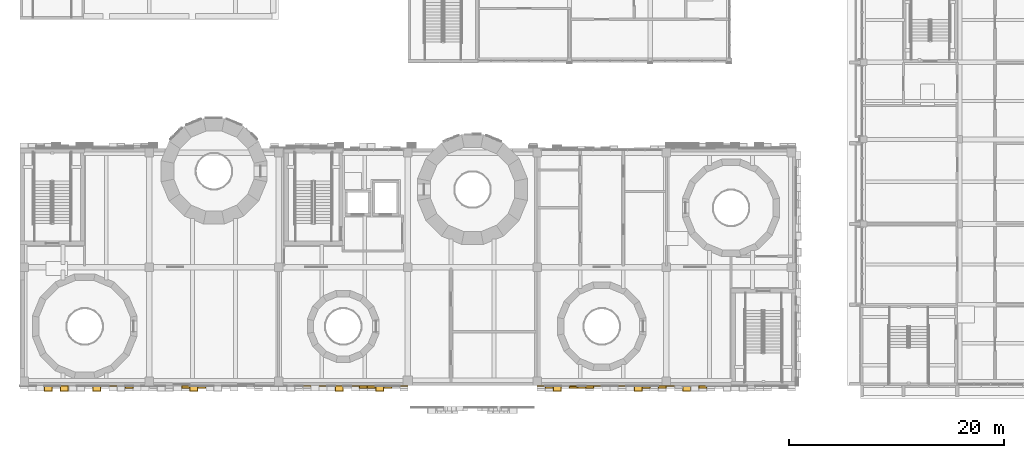
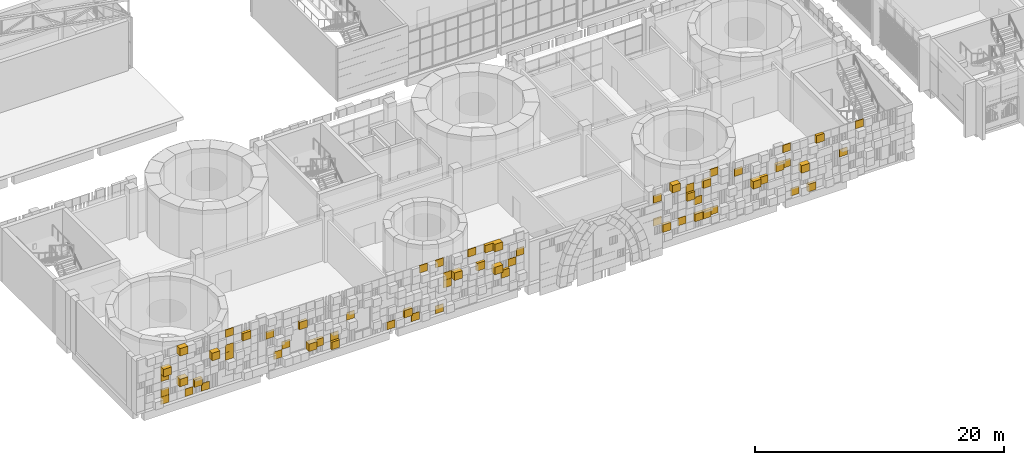
# One storey, part 92 of 125: 1 covering.
"""IFC4 building model written with IfcOpenShell, lengths in metres."""

from ifc_helpers import new_model, si_unit, direction, frame, origin, origin_2d, place, context, subcontext, project, spatial, rectangle, extrude, material, layer, layer_set, type_object, element, save


model = new_model("IFC4")

# Units and contexts
model_context = context("Model", 3, precision=1e-05, world=origin(), true_north=direction((0.0, 1.0)))
body_context = subcontext(model_context, "Body", "Model", "MODEL_VIEW")
ifc_project = project(units=[si_unit("LENGTHUNIT", "METRE"), si_unit("AREAUNIT", "SQUARE_METRE"), si_unit("VOLUMEUNIT", "CUBIC_METRE"), si_unit("PLANEANGLEUNIT", "RADIAN"), si_unit("MASSUNIT", "GRAM", prefix="KILO")], contexts=[model_context])

# Site, building, storey
site_placement = place(None, origin())
site = spatial("IfcSite", under=ifc_project, at=site_placement, CompositionType="ELEMENT")
building_placement = place(site_placement, origin())
building = spatial("IfcBuilding", under=site, at=building_placement, Name="Sun Court Science Centre", CompositionType="ELEMENT")
storey_placement = place(building_placement, frame((0.0, 0.0, 6.0)))
storey = spatial("IfcBuildingStorey", under=building, at=storey_placement, Name="L01", CompositionType="ELEMENT", Elevation=6.0)

# Covering
ifc_material = material(Name="Terracotta shade 4", Category="masonry")
ifc_layer = layer(ifc_material, 0.06005859375)
ifc_layer_set = layer_set([ifc_layer], Name="Terracotta shade 4")
covering_type = type_object("IfcCoveringType", Name="Terracotta pixel panel shade 4", PredefinedType="CLADDING", material=ifc_layer_set)
covering_placement = place(storey_placement, frame((0.0, 0.0, -6.0)))
element("IfcCovering", 1, at=covering_placement, inside=storey, type_object=covering_type, Name="Terracotta pixel cladding shade 4 south face L01", PredefinedType="CLADDING", context=body_context, shape_type="SweptSolid", body=[
    extrude(rectangle(XDim=0.739990234375, YDim=0.260009765625, at=origin_2d()), frame((62.625, 5.8701171875, 6.0048828125), z_axis=(0.0, 0.0, 1.0), x_axis=(-1.0, 0.0, 0.0)), (0.0, 0.0, 1.0), 0.739990234375),
    extrude(rectangle(XDim=0.739990234375, YDim=0.06005859375, at=origin_2d()), frame((61.125, 5.969970703125, 6.0048828125), z_axis=(0.0, 0.0, 1.0), x_axis=(-1.0, 0.0, 0.0)), (0.0, 0.0, 1.0), 0.739990234375),
    extrude(rectangle(XDim=0.739990234375, YDim=0.06005859375, at=origin_2d()), frame((28.125, 5.969970703125, 6.0048828125), z_axis=(0.0, 0.0, 1.0), x_axis=(-1.0, 0.0, 0.0)), (0.0, 0.0, 1.0), 0.739990234375),
    extrude(rectangle(XDim=0.739990234375, YDim=0.06005859375, at=origin_2d()), frame((25.875, 5.969970703125, 6.0048828125), z_axis=(0.0, 0.0, 1.0), x_axis=(-1.0, 0.0, 0.0)), (0.0, 0.0, 1.0), 0.739990234375),
    extrude(rectangle(XDim=0.739990234375, YDim=0.06005859375, at=origin_2d()), frame((23.625, 5.969970703125, 6.0048828125), z_axis=(0.0, 0.0, 1.0), x_axis=(-1.0, 0.0, 0.0)), (0.0, 0.0, 1.0), 0.739990234375),
    extrude(rectangle(XDim=0.739990234375, YDim=0.260009765625, at=origin_2d()), frame((18.375, 5.8701171875, 6.0048828125), z_axis=(0.0, 0.0, 1.0), x_axis=(-1.0, 0.0, 0.0)), (0.0, 0.0, 1.0), 0.739990234375),
    extrude(rectangle(XDim=0.739990234375, YDim=0.06005859375, at=origin_2d()), frame((6.375, 5.969970703125, 6.0048828125), z_axis=(0.0, 0.0, 1.0), x_axis=(-1.0, 0.0, 0.0)), (0.0, 0.0, 1.0), 0.739990234375),
    extrude(rectangle(XDim=0.739990234375, YDim=0.06005859375, at=origin_2d()), frame((4.875, 5.969970703125, 6.0048828125), z_axis=(0.0, 0.0, 1.0), x_axis=(-1.0, 0.0, 0.0)), (0.0, 0.0, 1.0), 0.739990234375),
    extrude(rectangle(XDim=0.739990234375, YDim=0.06005859375, at=origin_2d()), frame((53.625, 5.969970703125, 6.7548828125), z_axis=(0.0, 0.0, 1.0), x_axis=(-1.0, 0.0, 0.0)), (0.0, 0.0, 1.0), 0.739990234375),
    extrude(rectangle(XDim=0.739990234375, YDim=0.260009765625, at=origin_2d()), frame((52.875, 5.8701171875, 6.7548828125), z_axis=(0.0, 0.0, 1.0), x_axis=(-1.0, 0.0, 0.0)), (0.0, 0.0, 1.0), 0.739990234375),
    extrude(rectangle(XDim=0.739990234375, YDim=0.260009765625, at=origin_2d()), frame((52.125, 5.8701171875, 6.7548828125), z_axis=(0.0, 0.0, 1.0), x_axis=(-1.0, 0.0, 0.0)), (0.0, 0.0, 1.0), 0.739990234375),
    extrude(rectangle(XDim=0.739990234375, YDim=0.06005859375, at=origin_2d()), frame((50.625, 5.969970703125, 6.7548828125), z_axis=(0.0, 0.0, 1.0), x_axis=(-1.0, 0.0, 0.0)), (0.0, 0.0, 1.0), 0.739990234375),
    extrude(rectangle(XDim=0.739990234375, YDim=0.260009765625, at=origin_2d()), frame((49.125, 5.8701171875, 6.7548828125), z_axis=(0.0, 0.0, 1.0), x_axis=(-1.0, 0.0, 0.0)), (0.0, 0.0, 1.0), 0.739990234375),
    extrude(rectangle(XDim=0.739990234375, YDim=0.260009765625, at=origin_2d()), frame((25.125, 5.8701171875, 6.7548828125), z_axis=(0.0, 0.0, 1.0), x_axis=(-1.0, 0.0, 0.0)), (0.0, 0.0, 1.0), 0.739990234375),
    extrude(rectangle(XDim=0.739990234375, YDim=0.06005859375, at=origin_2d()), frame((18.375, 5.969970703125, 6.7548828125), z_axis=(0.0, 0.0, 1.0), x_axis=(-1.0, 0.0, 0.0)), (0.0, 0.0, 1.0), 0.739990234375),
    extrude(rectangle(XDim=0.739990234375, YDim=0.260009765625, at=origin_2d()), frame((16.875, 5.8701171875, 6.7548828125), z_axis=(0.0, 0.0, 1.0), x_axis=(-1.0, 0.0, 0.0)), (0.0, 0.0, 1.0), 0.739990234375),
    extrude(rectangle(XDim=0.739990234375, YDim=0.510009765625, at=origin_2d()), frame((16.125, 5.7451171875, 6.7548828125), z_axis=(0.0, 0.0, 1.0), x_axis=(-1.0, 0.0, 0.0)), (0.0, 0.0, 1.0), 0.739990234375),
    extrude(rectangle(XDim=0.739990234375, YDim=0.06005859375, at=origin_2d()), frame((13.125, 5.969970703125, 6.7548828125), z_axis=(0.0, 0.0, 1.0), x_axis=(-1.0, 0.0, 0.0)), (0.0, 0.0, 1.0), 0.739990234375),
    extrude(rectangle(XDim=0.739990234375, YDim=0.260009765625, at=origin_2d()), frame((5.625, 5.8701171875, 6.7548828125), z_axis=(0.0, 0.0, 1.0), x_axis=(-1.0, 0.0, 0.0)), (0.0, 0.0, 1.0), 0.739990234375),
    extrude(rectangle(XDim=0.739990234375, YDim=0.06005859375, at=origin_2d()), frame((2.625, 5.969970703125, 6.7548828125), z_axis=(0.0, 0.0, 1.0), x_axis=(-1.0, 0.0, 0.0)), (0.0, 0.0, 1.0), 0.739990234375),
    extrude(rectangle(XDim=0.739990234375, YDim=0.06005859375, at=origin_2d()), frame((48.375, 5.969970703125, 7.5048828125), z_axis=(0.0, 0.0, 1.0), x_axis=(-1.0, 0.0, 0.0)), (0.0, 0.0, 1.0), 0.739990234375),
    extrude(rectangle(XDim=0.739990234375, YDim=0.260009765625, at=origin_2d()), frame((34.125, 5.8701171875, 7.5048828125), z_axis=(0.0, 0.0, 1.0), x_axis=(-1.0, 0.0, 0.0)), (0.0, 0.0, 1.0), 0.739990234375),
    extrude(rectangle(XDim=0.739990234375, YDim=0.06005859375, at=origin_2d()), frame((13.875, 5.969970703125, 7.5048828125), z_axis=(0.0, 0.0, 1.0), x_axis=(-1.0, 0.0, 0.0)), (0.0, 0.0, 1.0), 0.739990234375),
    extrude(rectangle(XDim=0.739990234375, YDim=0.510009765625, at=origin_2d()), frame((4.125, 5.7451171875, 7.5048828125), z_axis=(0.0, 0.0, 1.0), x_axis=(-1.0, 0.0, 0.0)), (0.0, 0.0, 1.0), 0.739990234375),
    extrude(rectangle(XDim=0.739990234375, YDim=0.06005859375, at=origin_2d()), frame((65.625, 5.969970703125, 8.2548828125), z_axis=(0.0, 0.0, 1.0), x_axis=(-1.0, 0.0, 0.0)), (0.0, 0.0, 1.0), 0.739990234375),
    extrude(rectangle(XDim=0.739990234375, YDim=0.510009765625, at=origin_2d()), frame((61.875, 5.7451171875, 8.2548828125), z_axis=(0.0, 0.0, 1.0), x_axis=(-1.0, 0.0, 0.0)), (0.0, 0.0, 1.0), 0.739990234375),
    extrude(rectangle(XDim=0.739990234375, YDim=0.260009765625, at=origin_2d()), frame((58.125, 5.8701171875, 8.2548828125), z_axis=(0.0, 0.0, 1.0), x_axis=(-1.0, 0.0, 0.0)), (0.0, 0.0, 1.0), 0.739990234375),
    extrude(rectangle(XDim=0.739990234375, YDim=0.510009765625, at=origin_2d()), frame((57.375, 5.7451171875, 8.2548828125), z_axis=(0.0, 0.0, 1.0), x_axis=(-1.0, 0.0, 0.0)), (0.0, 0.0, 1.0), 0.739990234375),
    extrude(rectangle(XDim=0.739990234375, YDim=0.06005859375, at=origin_2d()), frame((52.125, 5.969970703125, 8.2548828125), z_axis=(0.0, 0.0, 1.0), x_axis=(-1.0, 0.0, 0.0)), (0.0, 0.0, 1.0), 0.739990234375),
    extrude(rectangle(XDim=0.739990234375, YDim=0.06005859375, at=origin_2d()), frame((34.875, 5.969970703125, 8.2548828125), z_axis=(0.0, 0.0, 1.0), x_axis=(-1.0, 0.0, 0.0)), (0.0, 0.0, 1.0), 0.739990234375),
    extrude(rectangle(XDim=0.739990234375, YDim=0.510009765625, at=origin_2d()), frame((33.375, 5.7451171875, 8.2548828125), z_axis=(0.0, 0.0, 1.0), x_axis=(-1.0, 0.0, 0.0)), (0.0, 0.0, 1.0), 0.739990234375),
    extrude(rectangle(XDim=0.739990234375, YDim=0.06005859375, at=origin_2d()), frame((28.875, 5.969970703125, 8.2548828125), z_axis=(0.0, 0.0, 1.0), x_axis=(-1.0, 0.0, 0.0)), (0.0, 0.0, 1.0), 0.739990234375),
    extrude(rectangle(XDim=0.739990234375, YDim=0.06005859375, at=origin_2d()), frame((19.875, 5.969970703125, 8.2548828125), z_axis=(0.0, 0.0, 1.0), x_axis=(-1.0, 0.0, 0.0)), (0.0, 0.0, 1.0), 0.739990234375),
    extrude(rectangle(XDim=0.739990234375, YDim=0.06005859375, at=origin_2d()), frame((8.625, 5.969970703125, 8.2548828125), z_axis=(0.0, 0.0, 1.0), x_axis=(-1.0, 0.0, 0.0)), (0.0, 0.0, 1.0), 0.739990234375),
    extrude(rectangle(XDim=0.739990234375, YDim=0.06005859375, at=origin_2d()), frame((2.625, 5.969970703125, 8.2548828125), z_axis=(0.0, 0.0, 1.0), x_axis=(-1.0, 0.0, 0.0)), (0.0, 0.0, 1.0), 0.739990234375),
    extrude(rectangle(XDim=0.739990234375, YDim=0.06005859375, at=origin_2d()), frame((60.375, 5.969970703125, 9.0048828125), z_axis=(0.0, 0.0, 1.0), x_axis=(-1.0, 0.0, 0.0)), (0.0, 0.0, 1.0), 0.739990234375),
    extrude(rectangle(XDim=0.739990234375, YDim=0.260009765625, at=origin_2d()), frame((59.625, 5.8701171875, 9.0048828125), z_axis=(0.0, 0.0, 1.0), x_axis=(-1.0, 0.0, 0.0)), (0.0, 0.0, 1.0), 0.739990234375),
    extrude(rectangle(XDim=0.739990234375, YDim=0.260009765625, at=origin_2d()), frame((51.375, 5.8701171875, 9.0048828125), z_axis=(0.0, 0.0, 1.0), x_axis=(-1.0, 0.0, 0.0)), (0.0, 0.0, 1.0), 0.739990234375),
    extrude(rectangle(XDim=0.739990234375, YDim=0.06005859375, at=origin_2d()), frame((35.625, 5.969970703125, 9.0048828125), z_axis=(0.0, 0.0, 1.0), x_axis=(-1.0, 0.0, 0.0)), (0.0, 0.0, 1.0), 0.739990234375),
    extrude(rectangle(XDim=0.739990234375, YDim=0.260009765625, at=origin_2d()), frame((31.875, 5.8701171875, 9.0048828125), z_axis=(0.0, 0.0, 1.0), x_axis=(-1.0, 0.0, 0.0)), (0.0, 0.0, 1.0), 0.739990234375),
    extrude(rectangle(XDim=0.739990234375, YDim=0.510009765625, at=origin_2d()), frame((29.625, 5.7451171875, 9.0048828125), z_axis=(0.0, 0.0, 1.0), x_axis=(-1.0, 0.0, 0.0)), (0.0, 0.0, 1.0), 0.739990234375),
    extrude(rectangle(XDim=0.739990234375, YDim=0.06005859375, at=origin_2d()), frame((28.875, 5.969970703125, 9.0048828125), z_axis=(0.0, 0.0, 1.0), x_axis=(-1.0, 0.0, 0.0)), (0.0, 0.0, 1.0), 0.739990234375),
    extrude(rectangle(XDim=0.739990234375, YDim=0.260009765625, at=origin_2d()), frame((15.375, 5.8701171875, 9.0048828125), z_axis=(0.0, 0.0, 1.0), x_axis=(-1.0, 0.0, 0.0)), (0.0, 0.0, 1.0), 0.739990234375),
    extrude(rectangle(XDim=0.739990234375, YDim=0.06005859375, at=origin_2d()), frame((12.375, 5.969970703125, 9.0048828125), z_axis=(0.0, 0.0, 1.0), x_axis=(-1.0, 0.0, 0.0)), (0.0, 0.0, 1.0), 0.739990234375),
    extrude(rectangle(XDim=0.739990234375, YDim=0.06005859375, at=origin_2d()), frame((8.625, 5.969970703125, 9.0048828125), z_axis=(0.0, 0.0, 1.0), x_axis=(-1.0, 0.0, 0.0)), (0.0, 0.0, 1.0), 0.739990234375),
    extrude(rectangle(XDim=0.739990234375, YDim=0.510009765625, at=origin_2d()), frame((7.125, 5.7451171875, 9.0048828125), z_axis=(0.0, 0.0, 1.0), x_axis=(-1.0, 0.0, 0.0)), (0.0, 0.0, 1.0), 0.739990234375),
    extrude(rectangle(XDim=0.739990234375, YDim=0.510009765625, at=origin_2d()), frame((2.625, 5.7451171875, 9.0048828125), z_axis=(0.0, 0.0, 1.0), x_axis=(-1.0, 0.0, 0.0)), (0.0, 0.0, 1.0), 0.739990234375),
    extrude(rectangle(XDim=0.739990234375, YDim=0.06005859375, at=origin_2d()), frame((55.875, 5.969970703125, 9.7548828125), z_axis=(0.0, 0.0, 1.0), x_axis=(-1.0, 0.0, 0.0)), (0.0, 0.0, 1.0), 0.739990234375),
    extrude(rectangle(XDim=0.739990234375, YDim=0.260009765625, at=origin_2d()), frame((52.875, 5.8701171875, 9.7548828125), z_axis=(0.0, 0.0, 1.0), x_axis=(-1.0, 0.0, 0.0)), (0.0, 0.0, 1.0), 0.739990234375),
    extrude(rectangle(XDim=0.739990234375, YDim=0.06005859375, at=origin_2d()), frame((51.375, 5.969970703125, 9.7548828125), z_axis=(0.0, 0.0, 1.0), x_axis=(-1.0, 0.0, 0.0)), (0.0, 0.0, 1.0), 0.739990234375),
    extrude(rectangle(XDim=0.739990234375, YDim=0.06005859375, at=origin_2d()), frame((48.375, 5.969970703125, 9.7548828125), z_axis=(0.0, 0.0, 1.0), x_axis=(-1.0, 0.0, 0.0)), (0.0, 0.0, 1.0), 0.739990234375),
    extrude(rectangle(XDim=0.739990234375, YDim=0.260009765625, at=origin_2d()), frame((10.125, 5.8701171875, 9.7548828125), z_axis=(0.0, 0.0, 1.0), x_axis=(-1.0, 0.0, 0.0)), (0.0, 0.0, 1.0), 0.739990234375),
    extrude(rectangle(XDim=0.739990234375, YDim=0.06005859375, at=origin_2d()), frame((67.125, 5.969970703125, 10.5048828125), z_axis=(0.0, 0.0, 1.0), x_axis=(-1.0, 0.0, 0.0)), (0.0, 0.0, 1.0), 0.739990234375),
    extrude(rectangle(XDim=0.739990234375, YDim=0.260009765625, at=origin_2d()), frame((63.375, 5.8701171875, 10.5048828125), z_axis=(0.0, 0.0, 1.0), x_axis=(-1.0, 0.0, 0.0)), (0.0, 0.0, 1.0), 0.739990234375),
    extrude(rectangle(XDim=0.739990234375, YDim=0.06005859375, at=origin_2d()), frame((60.375, 5.969970703125, 10.5048828125), z_axis=(0.0, 0.0, 1.0), x_axis=(-1.0, 0.0, 0.0)), (0.0, 0.0, 1.0), 0.739990234375),
    extrude(rectangle(XDim=0.739990234375, YDim=0.06005859375, at=origin_2d()), frame((53.625, 5.969970703125, 10.5048828125), z_axis=(0.0, 0.0, 1.0), x_axis=(-1.0, 0.0, 0.0)), (0.0, 0.0, 1.0), 0.739990234375),
    extrude(rectangle(XDim=0.739990234375, YDim=0.510009765625, at=origin_2d()), frame((49.875, 5.7451171875, 10.5048828125), z_axis=(0.0, 0.0, 1.0), x_axis=(-1.0, 0.0, 0.0)), (0.0, 0.0, 1.0), 0.739990234375),
    extrude(rectangle(XDim=0.739990234375, YDim=0.510009765625, at=origin_2d()), frame((33.375, 5.7451171875, 10.5048828125), z_axis=(0.0, 0.0, 1.0), x_axis=(-1.0, 0.0, 0.0)), (0.0, 0.0, 1.0), 0.739990234375),
    extrude(rectangle(XDim=0.739990234375, YDim=0.260009765625, at=origin_2d()), frame((32.625, 5.8701171875, 10.5048828125), z_axis=(0.0, 0.0, 1.0), x_axis=(-1.0, 0.0, 0.0)), (0.0, 0.0, 1.0), 0.739990234375),
    extrude(rectangle(XDim=0.739990234375, YDim=0.06005859375, at=origin_2d()), frame((31.125, 5.969970703125, 10.5048828125), z_axis=(0.0, 0.0, 1.0), x_axis=(-1.0, 0.0, 0.0)), (0.0, 0.0, 1.0), 0.739990234375),
    extrude(rectangle(XDim=0.739990234375, YDim=0.06005859375, at=origin_2d()), frame((28.125, 5.969970703125, 10.5048828125), z_axis=(0.0, 0.0, 1.0), x_axis=(-1.0, 0.0, 0.0)), (0.0, 0.0, 1.0), 0.739990234375),
    extrude(rectangle(XDim=0.739990234375, YDim=0.06005859375, at=origin_2d()), frame((26.625, 5.969970703125, 10.5048828125), z_axis=(0.0, 0.0, 1.0), x_axis=(-1.0, 0.0, 0.0)), (0.0, 0.0, 1.0), 0.739990234375),
    extrude(rectangle(XDim=0.739990234375, YDim=0.06005859375, at=origin_2d()), frame((8.625, 5.969970703125, 10.5048828125), z_axis=(0.0, 0.0, 1.0), x_axis=(-1.0, 0.0, 0.0)), (0.0, 0.0, 1.0), 0.739990234375),
    extrude(rectangle(XDim=0.739990234375, YDim=0.510009765625, at=origin_2d()), frame((4.125, 5.7451171875, 10.5048828125), z_axis=(0.0, 0.0, 1.0), x_axis=(-1.0, 0.0, 0.0)), (0.0, 0.0, 1.0), 0.739990234375),
    extrude(rectangle(XDim=0.739990234375, YDim=0.06005859375, at=origin_2d()), frame((2.625, 5.969970703125, 6.0048828125), z_axis=(0.0, 0.0, 1.0), x_axis=(-1.0, 0.0, 0.0)), (0.0, 0.0, 1.0), 0.739990234375),
])

save(model, "model.ifc")
